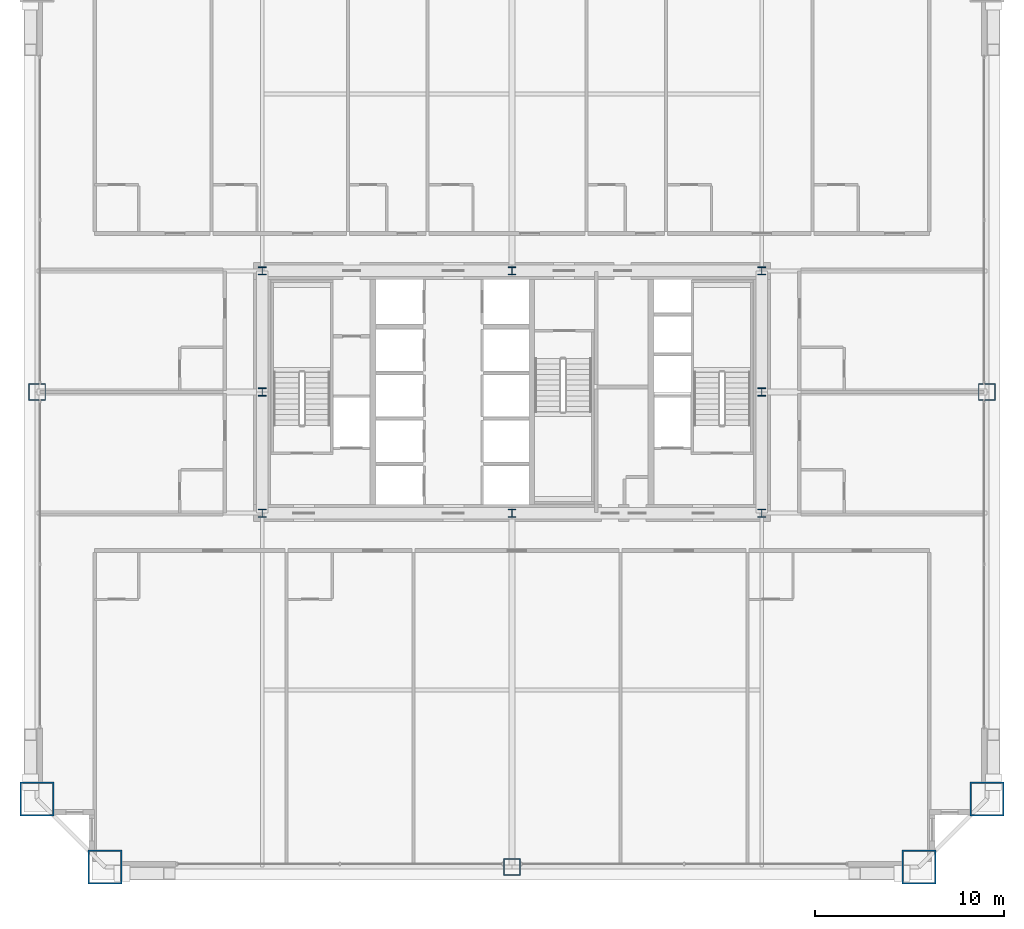
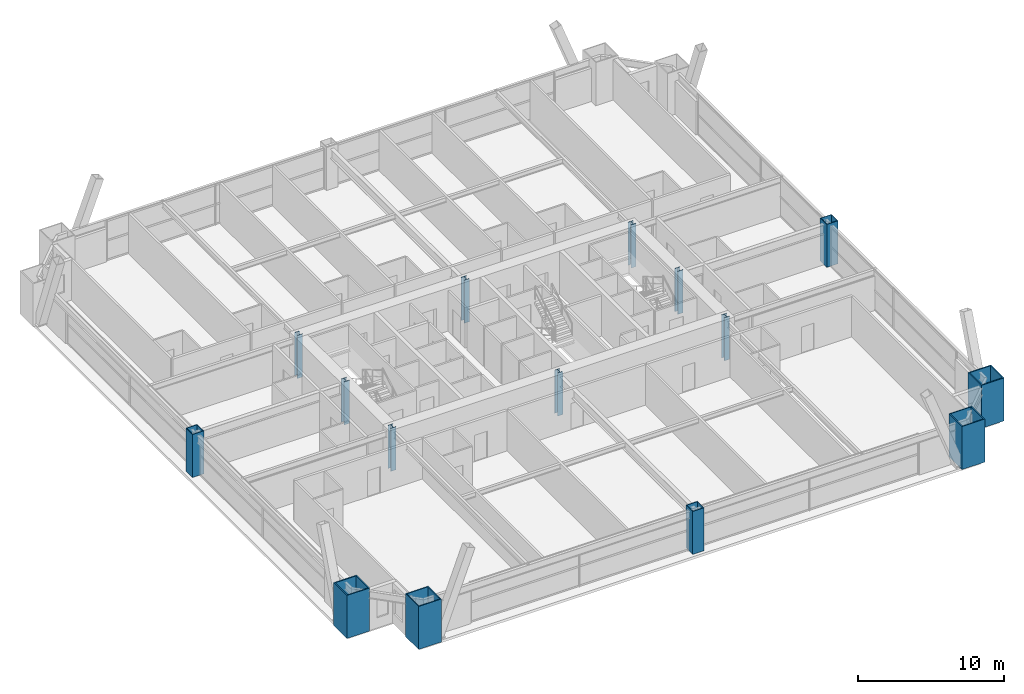
# One storey, part 1 of 43: 15 columns.
"""IFC4 building model written with IfcOpenShell, lengths in metres."""

from ifc_helpers import new_model, si_unit, direction, frame, origin, origin_2d, place, context, subcontext, project, spatial, hollow_rectangle, i_section, extrude, source, transform, mapped, material, material_profile, profile_set, type_object, element, save


model = new_model("IFC4")

# Units and contexts
model_context = context("Model", 3, precision=1e-05, world=origin(), true_north=direction((0.0, 1.0)))
body_context = subcontext(model_context, "Body", "Model", "MODEL_VIEW")
ifc_project = project(units=[si_unit("LENGTHUNIT", "METRE"), si_unit("AREAUNIT", "SQUARE_METRE"), si_unit("VOLUMEUNIT", "CUBIC_METRE"), si_unit("PLANEANGLEUNIT", "RADIAN"), si_unit("MASSUNIT", "GRAM", prefix="KILO"), si_unit("THERMODYNAMICTEMPERATUREUNIT", "KELVIN"), si_unit("POWERUNIT", "WATT")], contexts=[model_context])

# Site, building, storey
site_placement = place(None, origin())
site = spatial("IfcSite", under=ifc_project, at=site_placement, CompositionType="ELEMENT")
building_placement = place(site_placement, origin())
building = spatial("IfcBuilding", under=site, at=building_placement, Name="Yuzanri Waterfront Tower", CompositionType="ELEMENT")
storey_placement = place(building_placement, frame((0.0, 0.0, 53.199951171875)))
storey = spatial("IfcBuildingStorey", under=building, at=storey_placement, Name="L13", CompositionType="ELEMENT", Elevation=53.199951171875)

# Columns
ifc_material_1 = material(Name="Steel Q355B", Category="steel")
ifc_material_profile_1 = material_profile(ifc_material_1, i_section(OverallWidth=0.406982421875, OverallDepth=0.427978515625, WebThickness=0.02001953125, FlangeThickness=0.034912109375, at=origin_2d()), Name="HW 428x407x20x35")
ifc_profile_set_1 = profile_set([ifc_material_profile_1], Name="Steel Q355B")
column_type_1 = type_object("IfcColumnType", Name="Core Post Q355B HW 428x407x20x35", PredefinedType="COLUMN", material=ifc_profile_set_1)
shared_shape_1 = source(origin(), body_context, "Body", "SweptSolid", [
    extrude(i_section(OverallWidth=0.406982421875, OverallDepth=0.427978515625, WebThickness=0.02001953125, FlangeThickness=0.034912109375, at=origin_2d()), origin(), (0.0, 0.0, 1.0), 3.60009765625),
])
for number, where, z_axis, x_axis, name in (
    (1, (23.800048828125, 19.39990234375, 0.0), (0.0, 0.0, 1.0), (1.0, 0.0, 0.0), "L13 Core Boundary Column CP1"),
    (2, (37.0, 19.39990234375, 0.0), (0.0, 0.0, 1.0), (1.0, 0.0, 0.0), "L13 Core Boundary Column CP2"),
    (3, (50.199951171875, 19.39990234375, 0.0), (0.0, 0.0, 1.0), (1.0, 0.0, 0.0), "L13 Core Boundary Column CP3"),
    (4, (23.800048828125, 25.800048828125, 0.0), (0.0, 0.0, 1.0), (1.0, 0.0, 0.0), "L13 Core Boundary Column CP4"),
    (5, (50.199951171875, 25.800048828125, 0.0), (0.0, 0.0, 1.0), (1.0, 0.0, 0.0), "L13 Core Boundary Column CP5"),
    (6, (23.800048828125, 32.199951171875, 0.0), (0.0, 0.0, 1.0), (1.0, 0.0, 0.0), "L13 Core Boundary Column CP6"),
    (7, (37.0, 32.199951171875, 0.0), (0.0, 0.0, 1.0), (1.0, 0.0, 0.0), "L13 Core Boundary Column CP7"),
    (8, (50.199951171875, 32.199951171875, 0.0), (0.0, 0.0, 1.0), (1.0, 0.0, 0.0), "L13 Core Boundary Column CP8"),
):
    element("IfcColumn", number, at=place(storey_placement, frame(where, z_axis=z_axis, x_axis=x_axis)), inside=storey, type_object=column_type_1, Name=name, PredefinedType="COLUMN", context=body_context, shape_type="MappedRepresentation", body=[
        mapped(shared_shape_1, transform((0.0, 0.0, 0.0), scale=1.0)),
    ])
ifc_material_2 = material(Name="Steel Q420GJC", Category="steel")
ifc_material_profile_2 = material_profile(ifc_material_2, hollow_rectangle(XDim=1.800048828125, YDim=1.800048828125, WallThickness=0.080078125, at=origin_2d()), Name="RHS 1800x1800x80")
ifc_profile_set_2 = profile_set([ifc_material_profile_2], Name="Steel Q420GJC")
column_type_2 = type_object("IfcColumnType", Name="Mega Column Q420GJC RHS 1800x1800x80", PredefinedType="COLUMN", material=ifc_profile_set_2)
shared_shape_2 = source(origin(), body_context, "Body", "SweptSolid", [
    extrude(hollow_rectangle(XDim=1.800048828125, YDim=1.800048828125, WallThickness=0.080078125, at=origin_2d()), origin(), (0.0, 0.0, 1.0), 3.60009765625),
])
for number, where, z_axis, x_axis, name in (
    (9, (15.5, 0.699951171875, 0.0), (0.0, 0.0, 1.0), (1.0, 0.0, 0.0), "L13 Perimeter Mega Column S1"),
    (10, (58.5, 0.699951171875, 0.0), (0.0, 0.0, 1.0), (1.0, 0.0, 0.0), "L13 Perimeter Mega Column S3"),
    (11, (11.89990234375, 4.300048828125, 0.0), (0.0, 0.0, 1.0), (1.0, 0.0, 0.0), "L13 Perimeter Mega Column W1"),
    (12, (62.10009765625, 4.300048828125, 0.0), (0.0, 0.0, 1.0), (1.0, 0.0, 0.0), "L13 Perimeter Mega Column E1"),
):
    element("IfcColumn", number, at=place(storey_placement, frame(where, z_axis=z_axis, x_axis=x_axis)), inside=storey, type_object=column_type_2, Name=name, PredefinedType="COLUMN", context=body_context, shape_type="MappedRepresentation", body=[
        mapped(shared_shape_2, transform((0.0, 0.0, 0.0), scale=1.0)),
    ])
ifc_material_3 = material(Name="Steel Q390GJC", Category="steel")
ifc_material_profile_3 = material_profile(ifc_material_3, hollow_rectangle(XDim=0.89990234375, YDim=0.89990234375, WallThickness=0.0419921875, at=origin_2d()), Name="RHS 900x900x42")
ifc_profile_set_3 = profile_set([ifc_material_profile_3], Name="Steel Q390GJC")
column_type_3 = type_object("IfcColumnType", Name="Frame Column Q390GJC RHS 900x900x42", PredefinedType="COLUMN", material=ifc_profile_set_3)
shared_shape_3 = source(origin(), body_context, "Body", "SweptSolid", [
    extrude(hollow_rectangle(XDim=0.89990234375, YDim=0.89990234375, WallThickness=0.0419921875, at=origin_2d()), origin(), (0.0, 0.0, 1.0), 3.60009765625),
])
for number, where, z_axis, x_axis, name in (
    (13, (37.0, 0.699951171875, 0.0), (0.0, 0.0, 1.0), (1.0, 0.0, 0.0), "L13 Perimeter Frame Column S2"),
    (14, (11.89990234375, 25.800048828125, 0.0), (0.0, 0.0, 1.0), (1.0, 0.0, 0.0), "L13 Perimeter Frame Column W2"),
    (15, (62.10009765625, 25.800048828125, 0.0), (0.0, 0.0, 1.0), (1.0, 0.0, 0.0), "L13 Perimeter Frame Column E2"),
):
    element("IfcColumn", number, at=place(storey_placement, frame(where, z_axis=z_axis, x_axis=x_axis)), inside=storey, type_object=column_type_3, Name=name, PredefinedType="COLUMN", context=body_context, shape_type="MappedRepresentation", body=[
        mapped(shared_shape_3, transform((0.0, 0.0, 0.0), scale=1.0)),
    ])

save(model, "model.ifc")
